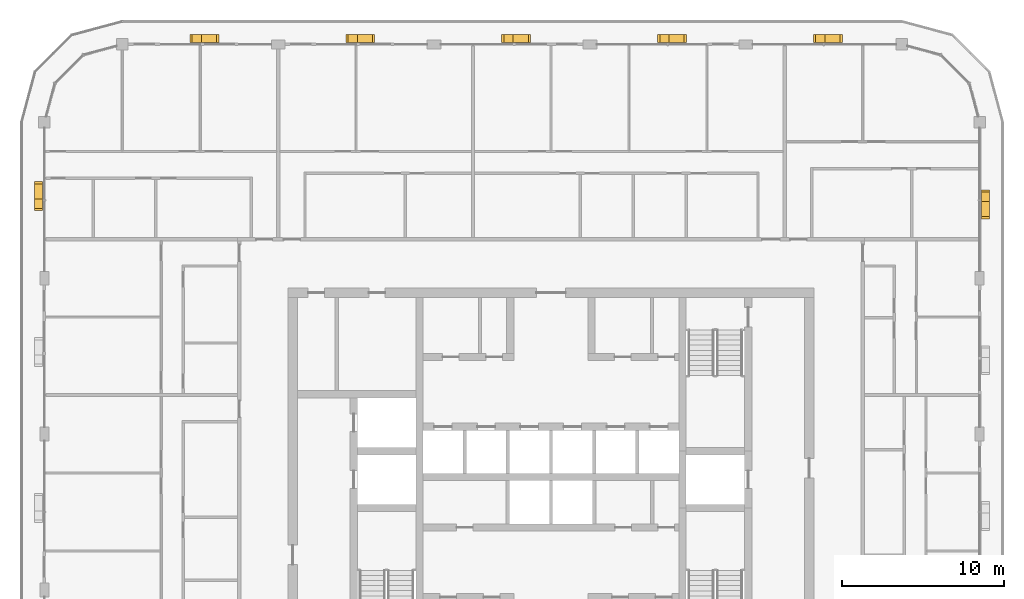
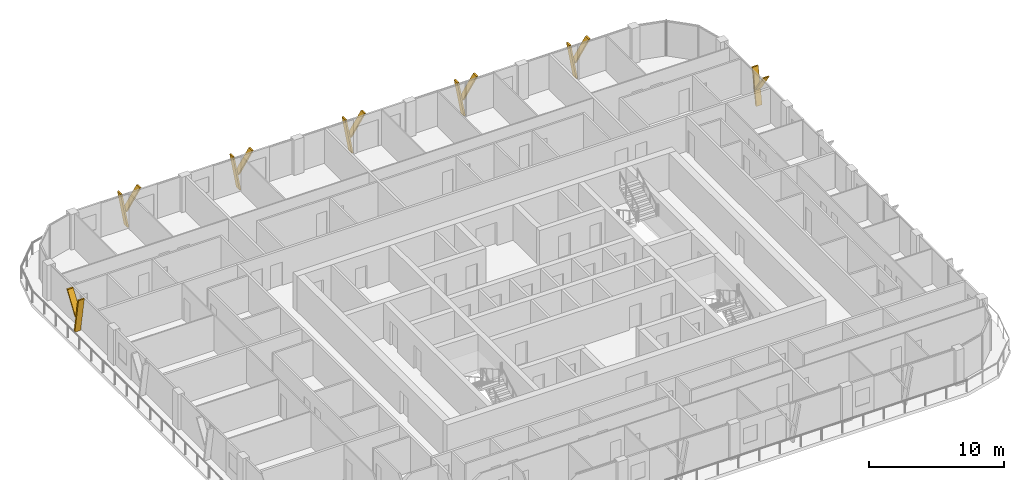
# One storey, part 21 of 21: 14 shading devices.
"""IFC4 building model written with IfcOpenShell, lengths in metres."""

from ifc_helpers import new_model, si_unit, direction, frame, origin, place, context, subcontext, project, spatial, polyline, outline, extrude, material, type_object, element, save


model = new_model("IFC4")

# Units and contexts
model_context = context("Model", 3, precision=1e-05, world=origin(), true_north=direction((0.0, 1.0)))
body_context = subcontext(model_context, "Body", "Model", "MODEL_VIEW")
ifc_project = project(units=[si_unit("LENGTHUNIT", "METRE"), si_unit("AREAUNIT", "SQUARE_METRE"), si_unit("VOLUMEUNIT", "CUBIC_METRE"), si_unit("PLANEANGLEUNIT", "RADIAN"), si_unit("MASSUNIT", "GRAM", prefix="KILO")], contexts=[model_context])

# Site, building, storey
site_placement = place(None, origin())
site = spatial("IfcSite", under=ifc_project, at=site_placement, CompositionType="ELEMENT")
building_placement = place(site_placement, origin())
building = spatial("IfcBuilding", under=site, at=building_placement, Name="Madar Terraces", CompositionType="ELEMENT")
storey_placement = place(building_placement, frame((0.0, 0.0, 238.699951171875)))
storey = spatial("IfcBuildingStorey", under=building, at=storey_placement, Name="L62", CompositionType="ELEMENT", Elevation=238.699951171875)

# Shading devices
ifc_material = material(Name="Aluminium, black anodised", Category="aluminium")
shading_device_type = type_object("IfcShadingDeviceType", Name="Facade fin blade 140 x 500", PredefinedType="USERDEFINED", material=ifc_material)
shading_device_1_placement = place(storey_placement, frame((57.949951171875, 43.1298828125, 0.0), z_axis=(0.0, 0.0, 1.0), x_axis=(0.0, 1.0, 0.0)))
element("IfcShadingDevice", 1, at=shading_device_1_placement, inside=storey, type_object=shading_device_type, Name="FIN L62 E4", ObjectType="FIN", PredefinedType="USERDEFINED", context=body_context, shape_type="SweptSolid", body=[
    extrude(outline(polyline([(0.0, 0.0), (0.14013671875, 0.0), (0.704345703125, 3.199951171875), (0.564208984375, 3.199951171875), (0.0, 0.0)])), frame((0.0, 0.25, 0.0), z_axis=(0.0, -1.0, 0.0), x_axis=(1.0, 0.0, 0.0)), (0.0, 0.0, 1.0), 0.5),
])
shading_device_2_placement = place(storey_placement, frame((57.949951171875, 43.243896484375, 1.43994140625), z_axis=(0.0, 0.0, 1.0), x_axis=(0.0, 1.0, 0.0)))
element("IfcShadingDevice", 2, at=shading_device_2_placement, inside=storey, type_object=shading_device_type, Name="FIN L62 E4 branch", ObjectType="FIN", PredefinedType="USERDEFINED", context=body_context, shape_type="SweptSolid", body=[
    extrude(outline(polyline([(0.0, 0.0), (0.139892578125, 0.0), (-1.049560546875, 1.760009765625), (-1.189697265625, 1.760009765625), (0.0, 0.0)])), frame((0.0, 0.25, 0.0), z_axis=(0.0, -1.0, 0.0), x_axis=(1.0, 0.0, 0.0)), (0.0, 0.0, 1.0), 0.5),
])
shading_device_3_placement = place(storey_placement, frame((48.070068359375, 53.14990234375, 0.0), z_axis=(0.0, 0.0, 1.0), x_axis=(-1.0, 0.0, 0.0)))
element("IfcShadingDevice", 3, at=shading_device_3_placement, inside=storey, type_object=shading_device_type, Name="FIN L62 N1", ObjectType="FIN", PredefinedType="USERDEFINED", context=body_context, shape_type="SweptSolid", body=[
    extrude(outline(polyline([(0.0, 0.0), (0.14013671875, 0.0), (0.704345703125, 3.199951171875), (0.564208984375, 3.199951171875), (0.0, 0.0)])), frame((0.0, 0.25, 0.0), z_axis=(0.0, -1.0, 0.0), x_axis=(1.0, 0.0, 0.0)), (0.0, 0.0, 1.0), 0.5),
])
shading_device_4_placement = place(storey_placement, frame((47.9560546875, 53.14990234375, 1.43994140625), z_axis=(0.0, 0.0, 1.0), x_axis=(-1.0, 0.0, 0.0)))
element("IfcShadingDevice", 4, at=shading_device_4_placement, inside=storey, type_object=shading_device_type, Name="FIN L62 N1 branch", ObjectType="FIN", PredefinedType="USERDEFINED", context=body_context, shape_type="SweptSolid", body=[
    extrude(outline(polyline([(0.0, 0.0), (0.139892578125, 0.0), (-1.049560546875, 1.760009765625), (-1.189697265625, 1.760009765625), (0.0, 0.0)])), frame((0.0, 0.25, 0.0), z_axis=(0.0, -1.0, 0.0), x_axis=(1.0, 0.0, 0.0)), (0.0, 0.0, 1.0), 0.5),
])
shading_device_5_placement = place(storey_placement, frame((38.469970703125, 53.14990234375, 0.0), z_axis=(0.0, 0.0, 1.0), x_axis=(-1.0, 0.0, 0.0)))
element("IfcShadingDevice", 5, at=shading_device_5_placement, inside=storey, type_object=shading_device_type, Name="FIN L62 N2", ObjectType="FIN", PredefinedType="USERDEFINED", context=body_context, shape_type="SweptSolid", body=[
    extrude(outline(polyline([(0.0, 0.0), (0.139892578125, 0.0), (0.704345703125, 3.199951171875), (0.564208984375, 3.199951171875), (0.0, 0.0)])), frame((0.0, 0.25, 0.0), z_axis=(0.0, -1.0, 0.0), x_axis=(1.0, 0.0, 0.0)), (0.0, 0.0, 1.0), 0.5),
])
shading_device_6_placement = place(storey_placement, frame((38.356201171875, 53.14990234375, 1.43994140625), z_axis=(0.0, 0.0, 1.0), x_axis=(-1.0, 0.0, 0.0)))
element("IfcShadingDevice", 6, at=shading_device_6_placement, inside=storey, type_object=shading_device_type, Name="FIN L62 N2 branch", ObjectType="FIN", PredefinedType="USERDEFINED", context=body_context, shape_type="SweptSolid", body=[
    extrude(outline(polyline([(0.0, 0.0), (0.14013671875, 0.0), (-1.049560546875, 1.760009765625), (-1.189697265625, 1.760009765625), (0.0, 0.0)])), frame((0.0, 0.25, 0.0), z_axis=(0.0, -1.0, 0.0), x_axis=(1.0, 0.0, 0.0)), (0.0, 0.0, 1.0), 0.5),
])
shading_device_7_placement = place(storey_placement, frame((28.8701171875, 53.14990234375, 0.0), z_axis=(0.0, 0.0, 1.0), x_axis=(-1.0, 0.0, 0.0)))
element("IfcShadingDevice", 7, at=shading_device_7_placement, inside=storey, type_object=shading_device_type, Name="FIN L62 N3", ObjectType="FIN", PredefinedType="USERDEFINED", context=body_context, shape_type="SweptSolid", body=[
    extrude(outline(polyline([(0.0, 0.0), (0.14013671875, 0.0), (0.704345703125, 3.199951171875), (0.564208984375, 3.199951171875), (0.0, 0.0)])), frame((0.0, 0.25, 0.0), z_axis=(0.0, -1.0, 0.0), x_axis=(1.0, 0.0, 0.0)), (0.0, 0.0, 1.0), 0.5),
])
shading_device_8_placement = place(storey_placement, frame((28.756103515625, 53.14990234375, 1.43994140625), z_axis=(0.0, 0.0, 1.0), x_axis=(-1.0, 0.0, 0.0)))
element("IfcShadingDevice", 8, at=shading_device_8_placement, inside=storey, type_object=shading_device_type, Name="FIN L62 N3 branch", ObjectType="FIN", PredefinedType="USERDEFINED", context=body_context, shape_type="SweptSolid", body=[
    extrude(outline(polyline([(0.0, 0.0), (0.139892578125, 0.0), (-1.049560546875, 1.760009765625), (-1.189697265625, 1.760009765625), (0.0, 0.0)])), frame((0.0, 0.25, 0.0), z_axis=(0.0, -1.0, 0.0), x_axis=(1.0, 0.0, 0.0)), (0.0, 0.0, 1.0), 0.5),
])
shading_device_9_placement = place(storey_placement, frame((19.27001953125, 53.14990234375, 0.0), z_axis=(0.0, 0.0, 1.0), x_axis=(-1.0, 0.0, 0.0)))
element("IfcShadingDevice", 9, at=shading_device_9_placement, inside=storey, type_object=shading_device_type, Name="FIN L62 N4", ObjectType="FIN", PredefinedType="USERDEFINED", context=body_context, shape_type="SweptSolid", body=[
    extrude(outline(polyline([(0.0, 0.0), (0.14013671875, 0.0), (0.704345703125, 3.199951171875), (0.564208984375, 3.199951171875), (0.0, 0.0)])), frame((0.0, 0.25, 0.0), z_axis=(0.0, -1.0, 0.0), x_axis=(1.0, 0.0, 0.0)), (0.0, 0.0, 1.0), 0.5),
])
shading_device_10_placement = place(storey_placement, frame((19.156005859375, 53.14990234375, 1.43994140625), z_axis=(0.0, 0.0, 1.0), x_axis=(-1.0, 0.0, 0.0)))
element("IfcShadingDevice", 10, at=shading_device_10_placement, inside=storey, type_object=shading_device_type, Name="FIN L62 N4 branch", ObjectType="FIN", PredefinedType="USERDEFINED", context=body_context, shape_type="SweptSolid", body=[
    extrude(outline(polyline([(0.0, 0.0), (0.139892578125, 0.0), (-1.049560546875, 1.760009765625), (-1.189697265625, 1.760009765625), (0.0, 0.0)])), frame((0.0, 0.25, 0.0), z_axis=(0.0, -1.0, 0.0), x_axis=(1.0, 0.0, 0.0)), (0.0, 0.0, 1.0), 0.5),
])
shading_device_11_placement = place(storey_placement, frame((9.669921875, 53.14990234375, 0.0), z_axis=(0.0, 0.0, 1.0), x_axis=(-1.0, 0.0, 0.0)))
element("IfcShadingDevice", 11, at=shading_device_11_placement, inside=storey, type_object=shading_device_type, Name="FIN L62 N5", ObjectType="FIN", PredefinedType="USERDEFINED", context=body_context, shape_type="SweptSolid", body=[
    extrude(outline(polyline([(0.0, 0.0), (0.139892578125, 0.0), (0.704345703125, 3.199951171875), (0.564208984375, 3.199951171875), (0.0, 0.0)])), frame((0.0, 0.25, 0.0), z_axis=(0.0, -1.0, 0.0), x_axis=(1.0, 0.0, 0.0)), (0.0, 0.0, 1.0), 0.5),
])
shading_device_12_placement = place(storey_placement, frame((9.55615234375, 53.14990234375, 1.43994140625), z_axis=(0.0, 0.0, 1.0), x_axis=(-1.0, 0.0, 0.0)))
element("IfcShadingDevice", 12, at=shading_device_12_placement, inside=storey, type_object=shading_device_type, Name="FIN L62 N5 branch", ObjectType="FIN", PredefinedType="USERDEFINED", context=body_context, shape_type="SweptSolid", body=[
    extrude(outline(polyline([(0.0, 0.0), (0.14013671875, 0.0), (-1.049560546875, 1.760009765625), (-1.189697265625, 1.760009765625), (0.0, 0.0)])), frame((0.0, 0.25, 0.0), z_axis=(0.0, -1.0, 0.0), x_axis=(1.0, 0.0, 0.0)), (0.0, 0.0, 1.0), 0.5),
])
shading_device_13_placement = place(storey_placement, frame((-0.35009765625, 43.27001953125, 0.0), z_axis=(0.0, 0.0, 1.0), x_axis=(0.0, -1.0, 0.0)))
element("IfcShadingDevice", 13, at=shading_device_13_placement, inside=storey, type_object=shading_device_type, Name="FIN L62 W1", ObjectType="FIN", PredefinedType="USERDEFINED", context=body_context, shape_type="SweptSolid", body=[
    extrude(outline(polyline([(0.0, 0.0), (0.14013671875, 0.0), (0.704345703125, 3.199951171875), (0.564208984375, 3.199951171875), (0.0, 0.0)])), frame((0.0, 0.25, 0.0), z_axis=(0.0, -1.0, 0.0), x_axis=(1.0, 0.0, 0.0)), (0.0, 0.0, 1.0), 0.5),
])
shading_device_14_placement = place(storey_placement, frame((-0.35009765625, 43.156005859375, 1.43994140625), z_axis=(0.0, 0.0, 1.0), x_axis=(0.0, -1.0, 0.0)))
element("IfcShadingDevice", 14, at=shading_device_14_placement, inside=storey, type_object=shading_device_type, Name="FIN L62 W1 branch", ObjectType="FIN", PredefinedType="USERDEFINED", context=body_context, shape_type="SweptSolid", body=[
    extrude(outline(polyline([(0.0, 0.0), (0.139892578125, 0.0), (-1.049560546875, 1.760009765625), (-1.189697265625, 1.760009765625), (0.0, 0.0)])), frame((0.0, 0.25, 0.0), z_axis=(0.0, -1.0, 0.0), x_axis=(1.0, 0.0, 0.0)), (0.0, 0.0, 1.0), 0.5),
])

save(model, "model.ifc")
